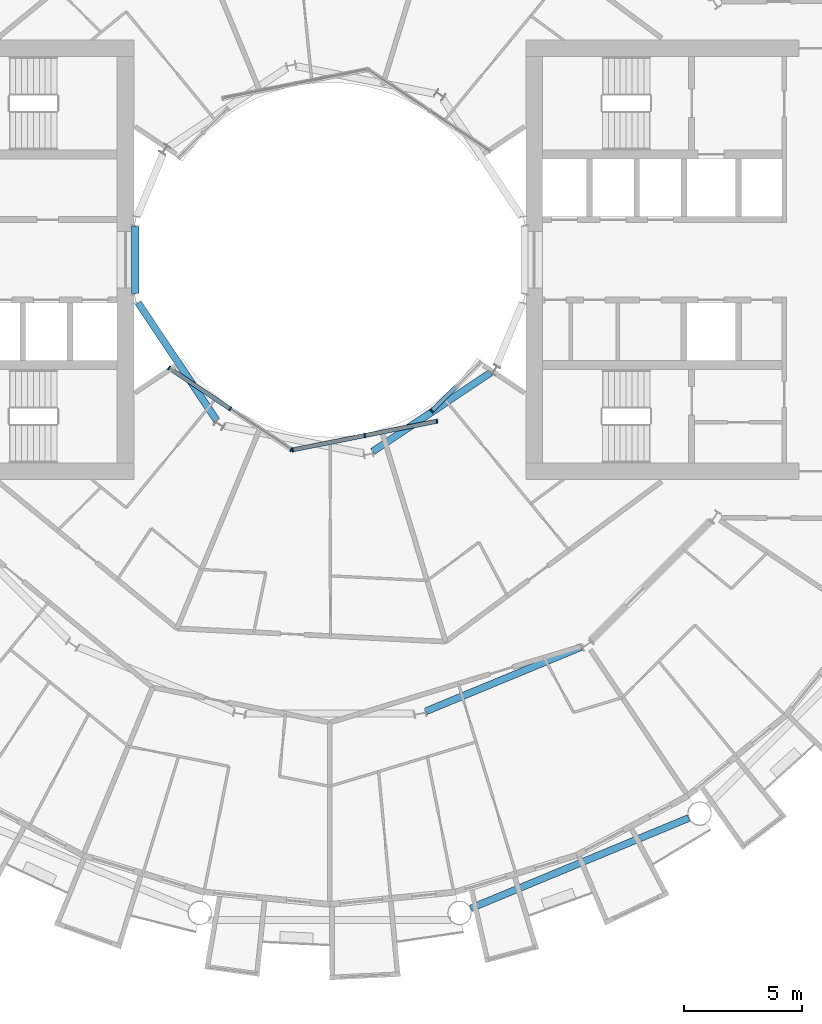
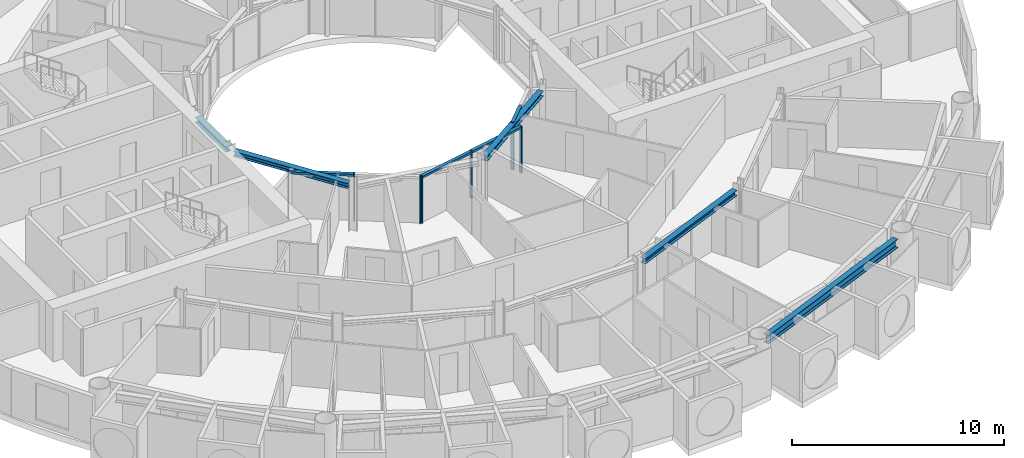
# One storey, part 5 of 26: 11 members, 5 beams, 3 elements without a shape of their own.
"""IFC4 building model written with IfcOpenShell, lengths in metres."""

from ifc_helpers import new_model, si_unit, direction, frame, origin, origin_2d, place, context, subcontext, project, spatial, rectangle, i_section, extrude, material, layer, layer_set, material_profile, profile_set, type_object, element, aggregate, save


model = new_model("IFC4")

# Units and contexts
model_context = context("Model", 3, precision=1e-05, world=origin(), true_north=direction((0.0, 1.0)))
body_context = subcontext(model_context, "Body", "Model", "MODEL_VIEW")
ifc_project = project(units=[si_unit("LENGTHUNIT", "METRE"), si_unit("AREAUNIT", "SQUARE_METRE"), si_unit("VOLUMEUNIT", "CUBIC_METRE"), si_unit("PLANEANGLEUNIT", "RADIAN"), si_unit("MASSUNIT", "GRAM", prefix="KILO")], contexts=[model_context])

# Site, building, storey
site_placement = place(None, origin())
site = spatial("IfcSite", under=ifc_project, at=site_placement, CompositionType="ELEMENT")
building_placement = place(site_placement, origin())
building = spatial("IfcBuilding", under=site, at=building_placement, Name="Maasbend Ring Residences", CompositionType="ELEMENT")
storey_placement = place(building_placement, frame((0.0, 0.0, 72.75)))
storey = spatial("IfcBuildingStorey", under=building, at=storey_placement, Name="L20", CompositionType="ELEMENT", Elevation=72.75)

# Curtain wall, members
ifc_material_1 = material(Name="Aluminium and clear glass", Category="aluminium")
ifc_layer = layer(ifc_material_1, 0.179931640625)
ifc_layer_set = layer_set([ifc_layer], Name="CW-W")
curtain_wall_type = type_object("IfcCurtainWallType", Name="CW-W", PredefinedType="NOTDEFINED", material=ifc_layer_set)
curtain_wall_1_placement = place(storey_placement, origin())
curtain_wall_1 = element("IfcCurtainWall", 1, at=curtain_wall_1_placement, inside=storey, type_object=curtain_wall_type, Name="Well curtain wall S1", PredefinedType="NOTDEFINED")
ifc_material_2 = material(Name="Aluminium 6063-T6", Category="aluminium")
ifc_material_profile_1 = material_profile(ifc_material_2, rectangle(XDim=0.179931640625, YDim=0.06005859375, at=origin_2d()), Name="AL 180x60")
ifc_profile_set_1 = profile_set([ifc_material_profile_1], Name="Aluminium 6063-T6")
member_type_1 = type_object("IfcMemberType", Name="CWM-W", PredefinedType="MULLION", material=ifc_profile_set_1)
member_1_placement = place(storey_placement, frame((-6.805908203125, -4.580810546875, 0.0), z_axis=(0.0, 0.0, 1.0), x_axis=(0.55557023302, 0.831469612303, 0.0)))
member_1 = element("IfcMember", 2, at=member_1_placement, type_object=member_type_1, Name="Mullion well face", PredefinedType="MULLION", context=body_context, shape_type="SweptSolid", body=[
    extrude(rectangle(XDim=0.179931640625, YDim=0.06005859375, at=origin_2d()), origin(), (0.0, 0.0, 1.0), 2.699951171875),
])
member_2_placement = place(storey_placement, frame((-4.216796875, -6.310791015625, 0.0), z_axis=(0.0, 0.0, 1.0), x_axis=(0.55557023302, 0.831469612303, 0.0)))
member_2 = element("IfcMember", 3, at=member_2_placement, type_object=member_type_1, Name="Mullion well face", PredefinedType="MULLION", context=body_context, shape_type="SweptSolid", body=[
    extrude(rectangle(XDim=0.179931640625, YDim=0.06005859375, at=origin_2d()), origin(), (0.0, 0.0, 1.0), 2.699951171875),
])
member_3_placement = place(storey_placement, frame((-1.627685546875, -8.040771484375, 0.0), z_axis=(0.0, 0.0, 1.0), x_axis=(0.55557023302, 0.831469612303, 0.0)))
member_3 = element("IfcMember", 4, at=member_3_placement, type_object=member_type_1, Name="Mullion well face", PredefinedType="MULLION", context=body_context, shape_type="SweptSolid", body=[
    extrude(rectangle(XDim=0.179931640625, YDim=0.06005859375, at=origin_2d()), origin(), (0.0, 0.0, 1.0), 2.699951171875),
])

curtain_wall_2_placement = place(storey_placement, origin())
curtain_wall_2 = element("IfcCurtainWall", 5, at=curtain_wall_2_placement, inside=storey, type_object=curtain_wall_type, Name="Well curtain wall S2", PredefinedType="NOTDEFINED")
member_4_placement = place(storey_placement, frame((-1.5732421875, -8.0517578125, 0.0), z_axis=(0.0, 0.0, 1.0), x_axis=(-0.195090322016, 0.980785280403, 0.0)))
member_4 = element("IfcMember", 6, at=member_4_placement, type_object=member_type_1, Name="Mullion well face", PredefinedType="MULLION", context=body_context, shape_type="SweptSolid", body=[
    extrude(rectangle(XDim=0.179931640625, YDim=0.06005859375, at=origin_2d()), origin(), (0.0, 0.0, 1.0), 2.699951171875),
])
member_5_placement = place(storey_placement, frame((1.480712890625, -7.444091796875, 0.0), z_axis=(0.0, 0.0, 1.0), x_axis=(-0.195090322016, 0.980785280403, 0.0)))
member_5 = element("IfcMember", 7, at=member_5_placement, type_object=member_type_1, Name="Mullion well face", PredefinedType="MULLION", context=body_context, shape_type="SweptSolid", body=[
    extrude(rectangle(XDim=0.179931640625, YDim=0.06005859375, at=origin_2d()), origin(), (0.0, 0.0, 1.0), 2.699951171875),
])
member_6_placement = place(storey_placement, frame((4.53466796875, -6.836669921875, 0.0), z_axis=(0.0, 0.0, 1.0), x_axis=(-0.195090322016, 0.980785280403, 0.0)))
member_6 = element("IfcMember", 8, at=member_6_placement, type_object=member_type_1, Name="Mullion well face", PredefinedType="MULLION", context=body_context, shape_type="SweptSolid", body=[
    extrude(rectangle(XDim=0.179931640625, YDim=0.06005859375, at=origin_2d()), origin(), (0.0, 0.0, 1.0), 2.699951171875),
])

# Curtain wall, member
curtain_wall_3_placement = place(storey_placement, origin())
curtain_wall_3 = element("IfcCurtainWall", 9, at=curtain_wall_3_placement, inside=storey, type_object=curtain_wall_type, Name="Well curtain wall S3", PredefinedType="NOTDEFINED")
member_7_placement = place(storey_placement, frame((4.320556640625, -6.413330078125, 0.0), z_axis=(0.0, 0.0, 1.0), x_axis=(-0.707106781187, 0.707106781187, 0.0)))
member_7 = element("IfcMember", 10, at=member_7_placement, type_object=member_type_1, Name="Mullion well face", PredefinedType="MULLION", context=body_context, shape_type="SweptSolid", body=[
    extrude(rectangle(XDim=0.179931640625, YDim=0.06005859375, at=origin_2d()), origin(), (0.0, 0.0, 1.0), 2.699951171875),
])

# Member
ifc_material_3 = material(Name="Aluminium 6063-T6", Category="aluminium")
ifc_material_profile_2 = material_profile(ifc_material_3, rectangle(XDim=0.179931640625, YDim=0.1201171875, at=origin_2d()), Name="AL 180x120")
ifc_profile_set_2 = profile_set([ifc_material_profile_2], Name="Aluminium 6063-T6")
member_type_2 = type_object("IfcMemberType", Name="CWT-W", PredefinedType="USERDEFINED", material=ifc_profile_set_2)
member_8_placement = place(storey_placement, frame((-6.781005859375, -4.59765625, 2.639892578125), z_axis=(0.831496422459, -0.555530106689, 0.0), x_axis=(0.555530106689, 0.831496422459, 0.0)))
member_8 = element("IfcMember", 11, at=member_8_placement, type_object=member_type_2, Name="Transom well face", ObjectType="TRANSOM", PredefinedType="USERDEFINED", context=body_context, shape_type="SweptSolid", body=[
    extrude(rectangle(XDim=0.179931640625, YDim=0.1201171875, at=origin_2d()), origin(), (0.0, 0.0, 1.0), 3.053955078125),
])

aggregate(curtain_wall_1, [member_1, member_2, member_3, member_8])

member_9_placement = place(storey_placement, frame((-1.5439453125, -8.0458984375, 2.639892578125), z_axis=(0.980776956105, 0.195132166424, 0.0), x_axis=(-0.195132166424, 0.980776956105, 0.0)))
member_9 = element("IfcMember", 12, at=member_9_placement, type_object=member_type_2, Name="Transom well face", ObjectType="TRANSOM", PredefinedType="USERDEFINED", context=body_context, shape_type="SweptSolid", body=[
    extrude(rectangle(XDim=0.179931640625, YDim=0.1201171875, at=origin_2d()), origin(), (0.0, 0.0, 1.0), 3.053955078125),
])

member_10_placement = place(storey_placement, frame((1.51025390625, -7.438232421875, 2.639892578125), z_axis=(0.980789210404, 0.19507056353, 0.0), x_axis=(-0.19507056353, 0.980789210404, 0.0)))
member_10 = element("IfcMember", 13, at=member_10_placement, type_object=member_type_2, Name="Transom well face", ObjectType="TRANSOM", PredefinedType="USERDEFINED", context=body_context, shape_type="SweptSolid", body=[
    extrude(rectangle(XDim=0.179931640625, YDim=0.1201171875, at=origin_2d()), origin(), (0.0, 0.0, 1.0), 3.0537109375),
])

aggregate(curtain_wall_2, [member_4, member_5, member_6, member_9, member_10])

member_11_placement = place(storey_placement, frame((4.341796875, -6.39208984375, 2.639892578125), z_axis=(0.707106781187, 0.707106781187, 0.0), x_axis=(-0.707106781187, 0.707106781187, 0.0)))
member_11 = element("IfcMember", 14, at=member_11_placement, type_object=member_type_2, Name="Transom well face", ObjectType="TRANSOM", PredefinedType="USERDEFINED", context=body_context, shape_type="SweptSolid", body=[
    extrude(rectangle(XDim=0.179931640625, YDim=0.1201171875, at=origin_2d()), origin(), (0.0, 0.0, 1.0), 1.419677734375),
])

aggregate(curtain_wall_3, [member_7, member_11])

# Beams
ifc_material_4 = material(Name="Steel S355J2", Category="steel")
ifc_material_profile_3 = material_profile(ifc_material_4, i_section(OverallWidth=0.300048828125, OverallDepth=0.300048828125, WebThickness=0.010986328125, FlangeThickness=0.01904296875, FilletRadius=0.027099609375, at=origin_2d()), Name="HEB 300")
ifc_profile_set_3 = profile_set([ifc_material_profile_3], Name="Steel S355J2")
beam_type_1 = type_object("IfcBeamType", Name="Corridor ring beam HEB 300", PredefinedType="BEAM", material=ifc_profile_set_3)
beam_1_placement = place(storey_placement, frame((4.070556640625, -19.12109375, 2.550048828125), z_axis=(0.923877113721, 0.382689271788, 0.0), x_axis=(-0.382689271788, 0.923877113721, 0.0)))
element("IfcBeam", 15, at=beam_1_placement, inside=storey, type_object=beam_type_1, Name="Corridor ring beam", PredefinedType="BEAM", context=body_context, shape_type="SweptSolid", body=[
    extrude(i_section(OverallWidth=0.300048828125, OverallDepth=0.300048828125, WebThickness=0.010986328125, FlangeThickness=0.01904296875, FilletRadius=0.027099609375, at=origin_2d()), origin(), (0.0, 0.0, 1.0), 7.11328125),
])
ifc_material_5 = material(Name="Steel S355J2", Category="steel")
ifc_material_profile_4 = material_profile(ifc_material_5, i_section(OverallWidth=0.300048828125, OverallDepth=0.5, WebThickness=0.014404296875, FlangeThickness=0.028076171875, FilletRadius=0.027099609375, at=origin_2d()), Name="HEB 500")
ifc_profile_set_4 = profile_set([ifc_material_profile_4], Name="Steel S355J2")
beam_type_2 = type_object("IfcBeamType", Name="Spandrel ring beam HEB 500", PredefinedType="SPANDREL", material=ifc_profile_set_4)
beam_2_placement = place(storey_placement, frame((5.970703125, -27.463623046875, 2.449951171875), z_axis=(0.923886337442, 0.382667003395, 0.0), x_axis=(-0.382667003395, 0.923886337442, 0.0)))
element("IfcBeam", 16, at=beam_2_placement, inside=storey, type_object=beam_type_2, Name="Spandrel ring beam", PredefinedType="SPANDREL", context=body_context, shape_type="SweptSolid", body=[
    extrude(i_section(OverallWidth=0.300048828125, OverallDepth=0.5, WebThickness=0.014404296875, FlangeThickness=0.028076171875, FilletRadius=0.027099609375, at=origin_2d()), origin(), (0.0, 0.0, 1.0), 9.9873046875),
])
ifc_material_6 = material(Name="Steel S355J2", Category="steel")
ifc_material_profile_5 = material_profile(ifc_material_6, i_section(OverallWidth=0.300048828125, OverallDepth=0.300048828125, WebThickness=0.010986328125, FlangeThickness=0.01904296875, FilletRadius=0.027099609375, at=origin_2d()), Name="HEB 300")
ifc_profile_set_5 = profile_set([ifc_material_profile_5], Name="Steel S355J2")
beam_type_3 = type_object("IfcBeamType", Name="Well edge beam HEB 300", PredefinedType="BEAM", material=ifc_profile_set_5)
beam_3_placement = place(storey_placement, frame((-8.238525390625, 1.434814453125, 2.550048828125), z_axis=(0.0, -1.0, 0.0), x_axis=(1.0, 0.0, 0.0)))
element("IfcBeam", 17, at=beam_3_placement, inside=storey, type_object=beam_type_3, Name="Well edge beam", PredefinedType="BEAM", context=body_context, shape_type="SweptSolid", body=[
    extrude(i_section(OverallWidth=0.300048828125, OverallDepth=0.300048828125, WebThickness=0.010986328125, FlangeThickness=0.01904296875, FilletRadius=0.027099609375, at=origin_2d()), origin(), (0.0, 0.0, 1.0), 2.86962890625),
])
for number, where, z_axis, x_axis, name in (
    (18, (-8.118408203125, -1.81884765625, 2.550048828125), (0.555592533493, -0.83145471117, 0.0), (0.83145471117, 0.555592533493, 0.0), "Well edge beam"),
    (19, (1.81884765625, -8.118408203125, 2.550048828125), (0.83145471117, 0.555592533493, 0.0), (-0.555592533493, 0.83145471117, 0.0), "Well edge beam"),
):
    element("IfcBeam", number, at=place(storey_placement, frame(where, z_axis=z_axis, x_axis=x_axis)), inside=storey, type_object=beam_type_3, Name=name, PredefinedType="BEAM", context=body_context, shape_type="SweptSolid", body=[
        extrude(i_section(OverallWidth=0.300048828125, OverallDepth=0.300048828125, WebThickness=0.010986328125, FlangeThickness=0.01904296875, FilletRadius=0.027099609375, at=origin_2d()), origin(), (0.0, 0.0, 1.0), 5.995849609375),
    ])

save(model, "model.ifc")
